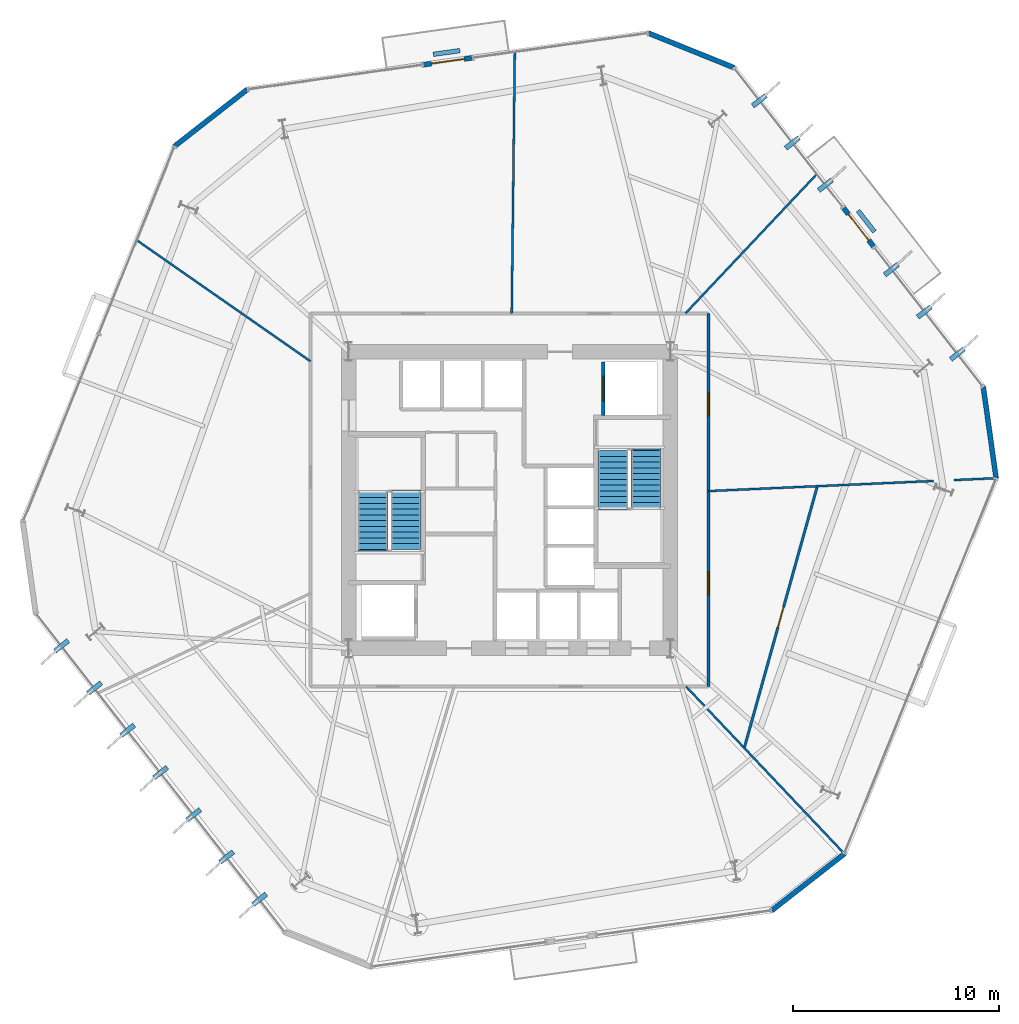
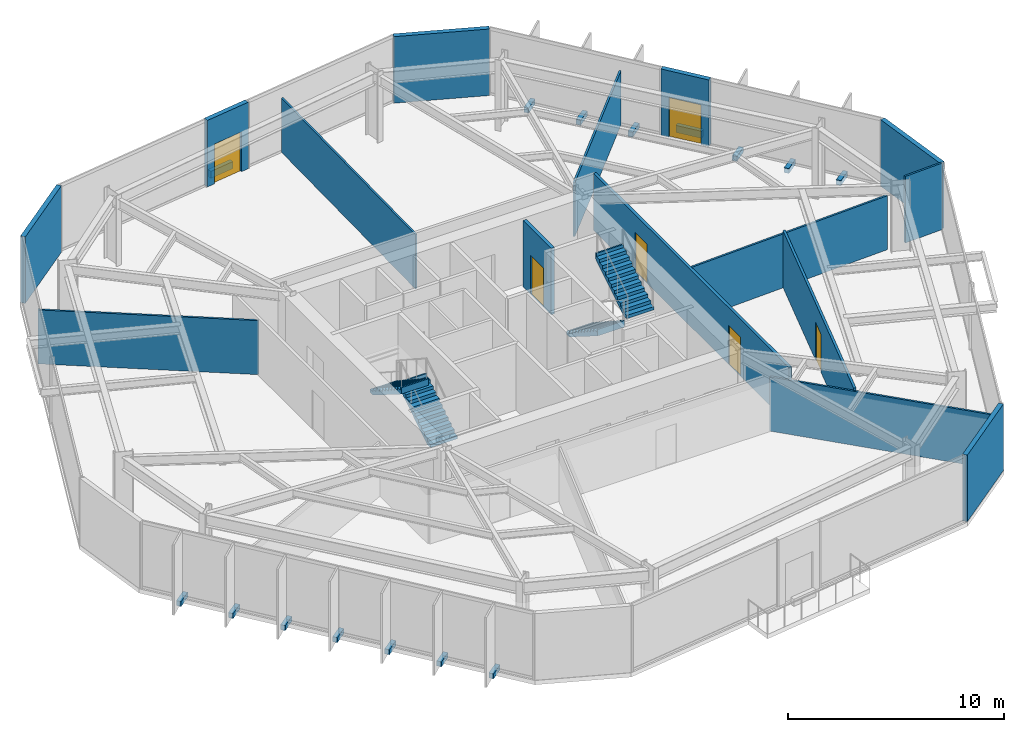
# One storey, part 7 of 10: 17 walls, 13 discrete accessories, 6 doors, 4 stair flights, 6 openings, 2 elements without a shape of their own.
"""IFC4 building model written with IfcOpenShell, lengths in metres."""

from ifc_helpers import new_model, si_unit, direction, frame, frame_2d, origin, origin_2d, place, context, subcontext, project, spatial, polyline, rectangle, outline, extrude, material, layer, layer_set, type_object, element, fill, aggregate, save


model = new_model("IFC4")

# Units and contexts
model_context = context("Model", 3, precision=1e-05, world=origin(), true_north=direction((0.0, 1.0)))
body_context = subcontext(model_context, "Body", "Model", "MODEL_VIEW")
ifc_project = project(units=[si_unit("LENGTHUNIT", "METRE"), si_unit("AREAUNIT", "SQUARE_METRE"), si_unit("VOLUMEUNIT", "CUBIC_METRE"), si_unit("PLANEANGLEUNIT", "RADIAN"), si_unit("MASSUNIT", "GRAM", prefix="KILO")], contexts=[model_context])

# Site, building, storey
site_placement = place(None, origin())
site = spatial("IfcSite", under=ifc_project, at=site_placement, CompositionType="ELEMENT")
building_placement = place(site_placement, origin())
building = spatial("IfcBuilding", under=site, at=building_placement, Name="Kranzbogen Civic Tower", CompositionType="ELEMENT")
storey_placement = place(building_placement, frame((0.0, 0.0, 52.0)))
storey = spatial("IfcBuildingStorey", under=building, at=storey_placement, Name="L12", CompositionType="ELEMENT", Elevation=52.0)

# Wall, openings, doors
ifc_material_1 = material(Name="Double-Stud Acoustic Gypsum Partition")
ifc_layer_1 = layer(ifc_material_1, 0.14990234375, Name="Double-Stud Acoustic Gypsum Partition")
ifc_layer_set_1 = layer_set([ifc_layer_1], Name="Double-Stud Acoustic Gypsum Partition")
wall_type_1 = type_object("IfcWallType", Name="Acoustic Corridor and Clinical Partition 150 mm", PredefinedType="PARTITIONING", material=ifc_layer_set_1)
wall_1_placement = place(storey_placement, frame((34.64990234375, 34.050048828125, 0.0), z_axis=(0.0, 0.0, 1.0), x_axis=(0.0, -1.0, 0.0)))
wall_1 = element("IfcWall", 1, at=wall_1_placement, inside=storey, type_object=wall_type_1, Name="L12 corridor partition 02", PredefinedType="PARTITIONING", context=body_context, shape_type="SweptSolid", body=[
    extrude(rectangle(XDim=18.10009765625, YDim=0.14990234375, at=frame_2d((9.050048828125, 0.0))), origin(), (0.0, 0.0, 1.0), 3.2099609375),
])
opening_1_placement = place(wall_1_placement, frame((12.533935546875, 0.0, 0.0)))
opening_1 = element("IfcOpeningElement", 2, at=opening_1_placement, cuts=wall_1, Name="Opening D-COR60", PredefinedType="OPENING", context=body_context, shape_type="SweptSolid", body=[
    extrude(rectangle(XDim=1.10009765625, YDim=2.199951171875, at=frame_2d((0.550048828125, 1.10009765625))), frame((0.0, 0.0849609375, 0.0), z_axis=(0.0, -1.0, 0.0), x_axis=(1.0, 0.0, 0.0)), (0.0, 0.0, 1.0), 0.169921875),
])
opening_2_placement = place(wall_1_placement, frame((3.85302734375, 0.0, 0.0)))
opening_2 = element("IfcOpeningElement", 3, at=opening_2_placement, cuts=wall_1, Name="Opening D-COR60", PredefinedType="OPENING", context=body_context, shape_type="SweptSolid", body=[
    extrude(rectangle(XDim=1.10009765625, YDim=2.199951171875, at=frame_2d((0.550048828125, 1.10009765625))), frame((0.0, 0.0849609375, 0.0), z_axis=(0.0, -1.0, 0.0), x_axis=(1.0, 0.0, 0.0)), (0.0, 0.0, 1.0), 0.169921875),
])
ifc_material_2 = material(Name="Oak Timber and Fire Core", Category="wood")
door_type_1 = type_object("IfcDoorType", Name="Corridor Acoustic Fire Door 1100x2200", OperationType="NOTDEFINED", PredefinedType="DOOR", material=ifc_material_2)
door_1_placement = place(opening_1_placement, origin())
door_1 = element("IfcDoor", 4, at=door_1_placement, inside=storey, type_object=door_type_1, Name="L12 Legal Counsel Office door", OperationType="SINGLE_SWING_RIGHT", OverallHeight=2.199951171875, OverallWidth=1.10009765625, PredefinedType="DOOR", context=body_context, shape_type="SweptSolid", body=[
    extrude(rectangle(XDim=1.10009765625, YDim=2.199951171875, at=frame_2d((0.550048828125, 1.10009765625))), frame((0.0, 0.02490234375, 0.0), z_axis=(0.0, -1.0, 0.0), x_axis=(1.0, 0.0, 0.0)), (0.0, 0.0, 1.0), 0.050048828125),
])
fill(opening_1, door_1)
door_2_placement = place(opening_2_placement, origin())
door_2 = element("IfcDoor", 5, at=door_2_placement, inside=storey, type_object=door_type_1, Name="L12 Executive Research Study door", OperationType="SINGLE_SWING_RIGHT", OverallHeight=2.199951171875, OverallWidth=1.10009765625, PredefinedType="DOOR", context=body_context, shape_type="SweptSolid", body=[
    extrude(rectangle(XDim=1.10009765625, YDim=2.199951171875, at=frame_2d((0.550048828125, 1.10009765625))), frame((0.0, 0.02490234375, 0.0), z_axis=(0.0, -1.0, 0.0), x_axis=(1.0, 0.0, 0.0)), (0.0, 0.0, 1.0), 0.050048828125),
])
fill(opening_2, door_2)

# Wall, opening, door
ifc_material_3 = material(Name="Insulated Metal-Stud Gypsum Partition")
ifc_layer_2 = layer(ifc_material_3, 0.125, Name="Insulated Metal-Stud Gypsum Partition")
ifc_layer_set_2 = layer_set([ifc_layer_2], Name="Insulated Metal-Stud Gypsum Partition")
wall_type_2 = type_object("IfcWallType", Name="Acoustic Inter-Room Partition 125 mm", PredefinedType="PARTITIONING", material=ifc_layer_set_2)
wall_2_placement = place(storey_placement, frame((36.39208984375, 12.989013671875, 0.0), z_axis=(0.0, 0.0, 1.0), x_axis=(0.268695208085, 0.963225251513, 0.0)))
wall_2 = element("IfcWall", 6, at=wall_2_placement, inside=storey, type_object=wall_type_2, Name="L12 suite chord partition 01", PredefinedType="PARTITIONING", context=body_context, shape_type="SweptSolid", body=[
    extrude(rectangle(XDim=13.148681640625, YDim=0.125, at=frame_2d((6.57421875, 0.0))), origin(), (0.0, 0.0, 1.0), 3.2099609375),
])
opening_3_placement = place(wall_2_placement, frame((6.073974609375, 0.0, 0.0)))
opening_3 = element("IfcOpeningElement", 7, at=opening_3_placement, cuts=wall_2, Name="Opening D-OFC10", PredefinedType="OPENING", context=body_context, shape_type="SweptSolid", body=[
    extrude(rectangle(XDim=1.0, YDim=2.14990234375, at=frame_2d((0.5, 1.074951171875))), frame((0.0, 0.072509765625, 0.0), z_axis=(0.0, -1.0, 0.0), x_axis=(1.0, 0.0, 0.0)), (0.0, 0.0, 1.0), 0.14501953125),
])
ifc_material_4 = material(Name="Oak Timber Veneer", Category="wood")
door_type_2 = type_object("IfcDoorType", Name="Standard Office Acoustic Door 1000x2150", OperationType="NOTDEFINED", PredefinedType="DOOR", material=ifc_material_4)
door_3_placement = place(opening_3_placement, origin())
door_3 = element("IfcDoor", 8, at=door_3_placement, inside=storey, type_object=door_type_2, Name="L12 Delegates Sitting Lounge door", OperationType="SINGLE_SWING_LEFT", OverallHeight=2.14990234375, OverallWidth=1.0, PredefinedType="DOOR", context=body_context, shape_type="SweptSolid", body=[
    extrude(rectangle(XDim=1.0, YDim=2.14990234375, at=frame_2d((0.5, 1.074951171875))), frame((0.0, 0.02490234375, 0.0), z_axis=(0.0, -1.0, 0.0), x_axis=(1.0, 0.0, 0.0)), (0.0, 0.0, 1.0), 0.050048828125),
])
fill(opening_3, door_3)

# Walls
ifc_material_5 = material(Name="Architectural Precast Terracotta Concrete C40/50", Category="masonry")
ifc_layer_3 = layer(ifc_material_5, 0.219970703125, Name="Architectural Precast Terracotta Concrete C40/50")
ifc_layer_set_3 = layer_set([ifc_layer_3], Name="Architectural Precast Terracotta Concrete C40/50")
wall_type_3 = type_object("IfcWallType", Name="Architectural Tree Planter Kerb Wall 220 mm", PredefinedType="USERDEFINED", material=ifc_layer_set_3)
wall_3_placement = place(storey_placement, frame((22.593994140625, 46.7939453125, 0.0), z_axis=(0.0, 0.0, 1.0), x_axis=(-0.990383971487, -0.138345903523, 0.0)))
element("IfcWall", 9, at=wall_3_placement, inside=storey, type_object=wall_type_3, Name="L12 landscaped tree balcony planter L12-TB1", ObjectType="PLANTER_WALL", PredefinedType="USERDEFINED", context=body_context, shape_type="SweptSolid", body=[
    extrude(rectangle(XDim=1.300537109375, YDim=0.219970703125, at=frame_2d((0.650390625, 0.0))), origin(), (0.0, 0.0, 1.0), 0.39990234375),
])
wall_4_placement = place(storey_placement, frame((42.7041015625, 38.007080078125, 0.0), z_axis=(0.0, 0.0, 1.0), x_axis=(-0.615695084904, 0.787984493772, 0.0)))
element("IfcWall", 10, at=wall_4_placement, inside=storey, type_object=wall_type_3, Name="L12 landscaped tree balcony planter L12-ST", ObjectType="PLANTER_WALL", PredefinedType="USERDEFINED", context=body_context, shape_type="SweptSolid", body=[
    extrude(rectangle(XDim=1.29931640625, YDim=0.219970703125, at=frame_2d((0.649658203125, 0.0))), origin(), (0.0, 0.0, 1.0), 0.39990234375),
])
ifc_material_6 = material(Name="Demountable Aluminium and Gypsum Partition", Category="aluminium")
ifc_layer_4 = layer(ifc_material_6, 0.10009765625, Name="Demountable Aluminium and Gypsum Partition")
ifc_layer_set_4 = layer_set([ifc_layer_4], Name="Demountable Aluminium and Gypsum Partition")
wall_type_4 = type_object("IfcWallType", Name="Demountable Office Partition 100 mm", PredefinedType="MOVABLE", material=ifc_layer_set_4)
wall_5_placement = place(storey_placement, frame((33.533935546875, 34.050048828125, 0.0), z_axis=(0.0, 0.0, 1.0), x_axis=(0.686105608839, 0.727501954307, 0.0)))
element("IfcWall", 11, at=wall_5_placement, inside=storey, type_object=wall_type_4, Name="L12 radial room partition 01", PredefinedType="MOVABLE", context=body_context, shape_type="SweptSolid", body=[
    extrude(rectangle(XDim=9.277099609375, YDim=0.10009765625, at=frame_2d((4.638671875, 0.0))), origin(), (0.0, 0.0, 1.0), 3.06005859375),
])
wall_6_placement = place(storey_placement, frame((25.10791015625, 34.050048828125, 0.0), z_axis=(0.0, 0.0, 1.0), x_axis=(0.011854360143, 0.999929734604, 0.0)))
element("IfcWall", 12, at=wall_6_placement, inside=storey, type_object=wall_type_4, Name="L12 radial room partition 02", PredefinedType="MOVABLE", context=body_context, shape_type="SweptSolid", body=[
    extrude(rectangle(XDim=12.666015625, YDim=0.10009765625, at=frame_2d((6.3330078125, 0.0))), origin(), (0.0, 0.0, 1.0), 3.06005859375),
])
wall_7_placement = place(storey_placement, frame((15.35009765625, 31.72607421875, 0.0), z_axis=(0.0, 0.0, 1.0), x_axis=(-0.820386326114, 0.57180965008, 0.0)))
element("IfcWall", 13, at=wall_7_placement, inside=storey, type_object=wall_type_4, Name="L12 radial room partition 03", PredefinedType="MOVABLE", context=body_context, shape_type="SweptSolid", body=[
    extrude(rectangle(XDim=10.258544921875, YDim=0.10009765625, at=frame_2d((5.12939453125, 0.0))), origin(), (0.0, 0.0, 1.0), 3.050048828125),
])
wall_8_placement = place(storey_placement, frame((33.568115234375, 15.949951171875, 0.0), z_axis=(0.0, 0.0, 1.0), x_axis=(0.687493592765, -0.726190443277, 0.0)))
element("IfcWall", 14, at=wall_8_placement, inside=storey, type_object=wall_type_4, Name="L12 radial room partition 06", PredefinedType="MOVABLE", context=body_context, shape_type="SweptSolid", body=[
    extrude(rectangle(XDim=11.141845703125, YDim=0.10009765625, at=frame_2d((5.57080078125, 0.0))), origin(), (0.0, 0.0, 1.0), 3.06005859375),
])
wall_9_placement = place(storey_placement, frame((34.64990234375, 25.43310546875, 0.0), z_axis=(0.0, 0.0, 1.0), x_axis=(0.998997369184, 0.044768921838, 0.0)))
element("IfcWall", 15, at=wall_9_placement, inside=storey, type_object=wall_type_4, Name="L12 radial room partition 07 part 1", PredefinedType="MOVABLE", context=body_context, shape_type="SweptSolid", body=[
    extrude(rectangle(XDim=10.923095703125, YDim=0.10009765625, at=frame_2d((5.46142578125, 0.0))), origin(), (0.0, 0.0, 1.0), 3.050048828125),
])
wall_10_placement = place(storey_placement, frame((46.552001953125, 25.966064453125, 0.0), z_axis=(0.0, 0.0, 1.0), x_axis=(0.998999775815, 0.044715186693, 0.0)))
element("IfcWall", 16, at=wall_10_placement, inside=storey, type_object=wall_type_4, Name="L12 radial room partition 07 part 2", PredefinedType="MOVABLE", context=body_context, shape_type="SweptSolid", body=[
    extrude(rectangle(XDim=2.031005859375, YDim=0.10009765625, at=frame_2d((1.015625, 0.0))), origin(), (0.0, 0.0, 1.0), 3.760009765625),
])

# Wall, opening, door
ifc_material_7 = material(Name="Gypsum Fireboard Shaftliner")
ifc_layer_5 = layer(ifc_material_7, 0.175048828125, Name="Gypsum Fireboard Shaftliner")
ifc_layer_set_5 = layer_set([ifc_layer_5], Name="Gypsum Fireboard Shaftliner")
wall_type_5 = type_object("IfcWallType", Name="Fire-Rated Lift and Service Shaft Wall 175 mm", PredefinedType="PARTITIONING", material=ifc_layer_set_5)
wall_11_placement = place(storey_placement, frame((29.550048828125, 29.10009765625, 0.0), z_axis=(0.0, 0.0, 1.0), x_axis=(0.0, 1.0, 0.0)))
wall_11 = element("IfcWall", 17, at=wall_11_placement, inside=storey, type_object=wall_type_5, Name="L12 lift FF-02 landing wall", PredefinedType="PARTITIONING", context=body_context, shape_type="SweptSolid", body=[
    extrude(rectangle(XDim=2.599853515625, YDim=0.175048828125, at=frame_2d((1.2998046875, 0.0))), origin(), (0.0, 0.0, 1.0), 3.760009765625),
])
opening_4_placement = place(wall_11_placement, frame((0.699951171875, 0.0, 0.0)))
opening_4 = element("IfcOpeningElement", 18, at=opening_4_placement, cuts=wall_11, Name="Opening LD-FF-02", PredefinedType="OPENING", context=body_context, shape_type="SweptSolid", body=[
    extrude(rectangle(XDim=1.199951171875, YDim=2.199951171875, at=frame_2d((0.60009765625, 1.10009765625))), frame((0.0, 0.09765625, 0.0), z_axis=(0.0, -1.0, 0.0), x_axis=(1.0, 0.0, 0.0)), (0.0, 0.0, 1.0), 0.195068359375),
])
ifc_material_8 = material(Name="Pale Anodised Aluminium", Category="aluminium")
door_type_3 = type_object("IfcDoorType", Name="Firefighting and Stretcher Lift Sliding Landing Door 1200x2200", OperationType="DOUBLE_DOOR_SLIDING", PredefinedType="DOOR", material=ifc_material_8)
door_4_placement = place(opening_4_placement, origin())
door_4 = element("IfcDoor", 19, at=door_4_placement, inside=storey, type_object=door_type_3, Name="L12 lift FF-02 sliding landing door", OperationType="DOUBLE_DOOR_SLIDING", OverallHeight=2.199951171875, OverallWidth=1.199951171875, PredefinedType="DOOR", context=body_context, shape_type="SweptSolid", body=[
    extrude(rectangle(XDim=1.199951171875, YDim=2.199951171875, at=frame_2d((0.60009765625, 1.10009765625))), frame((0.0, 0.02490234375, 0.0), z_axis=(0.0, -1.0, 0.0), x_axis=(1.0, 0.0, 0.0)), (0.0, 0.0, 1.0), 0.050048828125),
])
fill(opening_4, door_4)

ifc_layer_6 = layer(ifc_material_8, 0.239990234375, Name="Pale Anodised Aluminium")
ifc_layer_set_6 = layer_set([ifc_layer_6], Name="Pale Anodised Aluminium")
wall_type_6 = type_object("IfcWallType", Name="Insulated Aluminium Facade Portal Wall 240 mm", PredefinedType="STANDARD", material=ifc_layer_set_6)
wall_12_placement = place(storey_placement, frame((42.669921875, 37.281982421875, 0.0), z_axis=(0.0, 0.0, 1.0), x_axis=(-0.615797994432, 0.787904074144, 0.0)))
wall_12 = element("IfcWall", 20, at=wall_12_placement, inside=storey, type_object=wall_type_6, Name="L12 exterior entrance portal wall 1", PredefinedType="STANDARD", context=body_context, shape_type="SweptSolid", body=[
    extrude(rectangle(XDim=2.400146484375, YDim=0.239990234375, at=frame_2d((1.2001953125, 0.0))), origin(), (0.0, 0.0, 1.0), 3.760009765625),
])
opening_5_placement = place(wall_12_placement, frame((0.39990234375, 0.0, 0.0)))
opening_5 = element("IfcOpeningElement", 21, at=opening_5_placement, cuts=wall_12, Name="Opening D-TER", PredefinedType="OPENING", context=body_context, shape_type="SweptSolid", body=[
    extrude(rectangle(XDim=1.60009765625, YDim=2.25, at=frame_2d((0.800048828125, 1.125))), frame((0.0, 0.1298828125, 0.0), z_axis=(0.0, -1.0, 0.0), x_axis=(1.0, 0.0, 0.0)), (0.0, 0.0, 1.0), 0.260009765625),
])
ifc_material_9 = material(Name="Anodised Bronze and Triple Glass", Category="glass")
door_type_4 = type_object("IfcDoorType", Name="Glazed Terrace and Balcony Double Door 1600x2250", OperationType="DOUBLE_DOOR_SINGLE_SWING", PredefinedType="DOOR", material=ifc_material_9)
door_5_placement = place(opening_5_placement, frame((1.60009765625, 0.0, 0.0), z_axis=(0.0, 0.0, 1.0), x_axis=(-1.0, 0.0, 0.0)))
door_5 = element("IfcDoor", 22, at=door_5_placement, inside=storey, type_object=door_type_4, Name="L12 spiral terrace access door L12-ST", OperationType="DOUBLE_DOOR_SINGLE_SWING", OverallHeight=2.25, OverallWidth=1.60009765625, PredefinedType="DOOR", context=body_context, shape_type="SweptSolid", body=[
    extrude(rectangle(XDim=1.60009765625, YDim=2.25, at=frame_2d((0.800048828125, 1.125))), frame((0.0, 0.02490234375, 0.0), z_axis=(0.0, -1.0, 0.0), x_axis=(1.0, 0.0, 0.0)), (0.0, 0.0, 1.0), 0.050048828125),
])
fill(opening_5, door_5)

# Wall
wall_13_placement = place(storey_placement, frame((35.884033203125, 45.967041015625, 0.0), z_axis=(0.0, 0.0, 1.0), x_axis=(-0.927172587255, 0.374634479783, 0.0)))
element("IfcWall", 23, at=wall_13_placement, inside=storey, type_object=wall_type_6, Name="L12 chamfered corner facade spandrel 1", PredefinedType="STANDARD", context=body_context, shape_type="SweptSolid", body=[
    extrude(rectangle(XDim=4.473876953125, YDim=0.239990234375, at=frame_2d((2.23681640625, 0.0))), origin(), (0.0, 0.0, 1.0), 3.760009765625),
])

# Wall, opening, door
wall_14_placement = place(storey_placement, frame((23.197998046875, 46.443115234375, 0.0), z_axis=(0.0, 0.0, 1.0), x_axis=(-0.990250439139, -0.139298484503, 0.0)))
wall_14 = element("IfcWall", 24, at=wall_14_placement, inside=storey, type_object=wall_type_6, Name="L12 exterior entrance portal wall 1", PredefinedType="STANDARD", context=body_context, shape_type="SweptSolid", body=[
    extrude(rectangle(XDim=2.3994140625, YDim=0.239990234375, at=frame_2d((1.19970703125, 0.0))), origin(), (0.0, 0.0, 1.0), 3.760009765625),
])
opening_6_placement = place(wall_14_placement, frame((0.39990234375, 0.0, 0.0)))
opening_6 = element("IfcOpeningElement", 25, at=opening_6_placement, cuts=wall_14, Name="Opening D-TER", PredefinedType="OPENING", context=body_context, shape_type="SweptSolid", body=[
    extrude(rectangle(XDim=1.60009765625, YDim=2.25, at=frame_2d((0.800048828125, 1.125))), frame((0.0, 0.1298828125, 0.0), z_axis=(0.0, -1.0, 0.0), x_axis=(1.0, 0.0, 0.0)), (0.0, 0.0, 1.0), 0.260009765625),
])
door_6_placement = place(opening_6_placement, frame((1.60009765625, 0.0, 0.0), z_axis=(0.0, 0.0, 1.0), x_axis=(-1.0, 0.0, 0.0)))
door_6 = element("IfcDoor", 26, at=door_6_placement, inside=storey, type_object=door_type_4, Name="L12 tree balcony access door L12-TB1", OperationType="DOUBLE_DOOR_SINGLE_SWING", OverallHeight=2.25, OverallWidth=1.60009765625, PredefinedType="DOOR", context=body_context, shape_type="SweptSolid", body=[
    extrude(rectangle(XDim=1.60009765625, YDim=2.25, at=frame_2d((0.800048828125, 1.125))), frame((0.0, 0.02490234375, 0.0), z_axis=(0.0, -1.0, 0.0), x_axis=(1.0, 0.0, 0.0)), (0.0, 0.0, 1.0), 0.050048828125),
])
fill(opening_6, door_6)

# Walls
for number, where, z_axis, x_axis, name in (
    (27, (12.282958984375, 44.908935546875, 0.0), (0.0, 0.0, 1.0), (-0.788016099046, -0.615654633414, 0.0), "L12 chamfered corner facade spandrel 2"),
    (28, (37.717041015625, 5.091064453125, 0.0), (0.0, 0.0, 1.0), (0.788016099046, 0.615654633414, 0.0), "L12 chamfered corner facade spandrel 5"),
):
    element("IfcWall", number, at=place(storey_placement, frame(where, z_axis=z_axis, x_axis=x_axis)), inside=storey, type_object=wall_type_6, Name=name, PredefinedType="STANDARD", context=body_context, shape_type="SweptSolid", body=[
        extrude(rectangle(XDim=4.47314453125, YDim=0.239990234375, at=frame_2d((2.236572265625, 0.0))), origin(), (0.0, 0.0, 1.0), 3.760009765625),
    ])
wall_15_placement = place(storey_placement, frame((48.60009765625, 26.05810546875, 0.0), z_axis=(0.0, 0.0, 1.0), x_axis=(-0.139059990467, 0.990283958797, 0.0)))
element("IfcWall", 29, at=wall_15_placement, inside=storey, type_object=wall_type_6, Name="L12 chamfered corner facade spandrel 6", PredefinedType="STANDARD", context=body_context, shape_type="SweptSolid", body=[
    extrude(rectangle(XDim=4.473388671875, YDim=0.239990234375, at=frame_2d((2.23681640625, 0.0))), origin(), (0.0, 0.0, 1.0), 3.760009765625),
])

# Stair, stair flights
ifc_material_10 = material(Name="Precast concrete C40/50", Category="concrete")
stair_type_1 = type_object("IfcStairType", Name="Tower Core Pressurized Dogleg Stair 1450", PredefinedType="HALF_TURN_STAIR", material=ifc_material_10)
stair_1_placement = place(storey_placement, origin())
stair_1 = element("IfcStair", 30, at=stair_1_placement, inside=storey, type_object=stair_type_1, Name="L12 Tower Core Pressurized Stair 1", PredefinedType="HALF_TURN_STAIR")
stair_flight_type = type_object("IfcStairFlightType", Name="Precast Concrete Stair Flight R180", PredefinedType="STRAIGHT", material=ifc_material_10)
stair_flight_1_placement = place(storey_placement, frame((19.97509765625, 22.60009765625, 0.0), z_axis=(0.0, 0.0, 1.0), x_axis=(0.0, 1.0, 0.0)))
stair_flight_1 = element("IfcStairFlight", 31, at=stair_flight_1_placement, type_object=stair_flight_type, Name="ST-T1 flight 1", NumberOfRisers=11, NumberOfTreads=10, PredefinedType="STRAIGHT", RiserHeight=0.181818182, TreadLength=0.28, context=body_context, shape_type="SweptSolid", body=[
    extrude(outline(polyline([(0.0, 0.0), (0.0, 0.181884765625), (0.280029296875, 0.181884765625), (0.280029296875, 0.363525390625), (0.56005859375, 0.363525390625), (0.56005859375, 0.54541015625), (0.840087890625, 0.54541015625), (0.840087890625, 0.727294921875), (1.1201171875, 0.727294921875), (1.1201171875, 0.9091796875), (1.39990234375, 0.9091796875), (1.39990234375, 1.0908203125), (1.679931640625, 1.0908203125), (1.679931640625, 1.272705078125), (1.9599609375, 1.272705078125), (1.9599609375, 1.45458984375), (2.239990234375, 1.45458984375), (2.239990234375, 1.636474609375), (2.52001953125, 1.636474609375), (2.52001953125, 1.818115234375), (2.800048828125, 1.818115234375), (2.800048828125, 2.0), (2.880126953125, 2.0), (2.880126953125, 1.639404296875), (0.275146484375, 0.0), (0.0, 0.0)])), frame((0.0, 0.72509765625, 0.0), z_axis=(0.0, -1.0, 0.0), x_axis=(1.0, 0.0, 0.0)), (0.0, 0.0, 1.0), 1.449951171875),
])
stair_flight_2_placement = place(storey_placement, frame((18.375, 25.39990234375, 2.0), z_axis=(0.0, 0.0, 1.0), x_axis=(0.0, -1.0, 0.0)))
stair_flight_2 = element("IfcStairFlight", 32, at=stair_flight_2_placement, type_object=stair_flight_type, Name="ST-T1 flight 2", NumberOfRisers=11, NumberOfTreads=10, PredefinedType="STRAIGHT", RiserHeight=0.181818182, TreadLength=0.28, context=body_context, shape_type="SweptSolid", body=[
    extrude(outline(polyline([(0.0, 0.0), (0.0, 0.181884765625), (0.280029296875, 0.181884765625), (0.280029296875, 0.363525390625), (0.56005859375, 0.363525390625), (0.56005859375, 0.54541015625), (0.840087890625, 0.54541015625), (0.840087890625, 0.727294921875), (1.1201171875, 0.727294921875), (1.1201171875, 0.9091796875), (1.39990234375, 0.9091796875), (1.39990234375, 1.0908203125), (1.679931640625, 1.0908203125), (1.679931640625, 1.272705078125), (1.9599609375, 1.272705078125), (1.9599609375, 1.45458984375), (2.239990234375, 1.45458984375), (2.239990234375, 1.636474609375), (2.52001953125, 1.636474609375), (2.52001953125, 1.818115234375), (2.800048828125, 1.818115234375), (2.800048828125, 2.0), (2.880126953125, 2.0), (2.880126953125, 1.639404296875), (0.275146484375, 0.0), (0.0, 0.0)])), frame((0.0, 0.72509765625, 0.0), z_axis=(0.0, -1.0, 0.0), x_axis=(1.0, 0.0, 0.0)), (0.0, 0.0, 1.0), 1.449951171875),
])
aggregate(stair_1, [stair_flight_1, stair_flight_2])

stair_type_2 = type_object("IfcStairType", Name="Tower Core Secondary Dogleg Stair 1450", PredefinedType="HALF_TURN_STAIR", material=ifc_material_10)
stair_2_placement = place(storey_placement, origin())
stair_2 = element("IfcStair", 33, at=stair_2_placement, inside=storey, type_object=stair_type_2, Name="L12 Tower Core Pressurized Stair 2", PredefinedType="HALF_TURN_STAIR")
stair_flight_3_placement = place(storey_placement, frame((30.02490234375, 27.39990234375, 0.0), z_axis=(0.0, 0.0, 1.0), x_axis=(0.0, -1.0, 0.0)))
stair_flight_3 = element("IfcStairFlight", 34, at=stair_flight_3_placement, type_object=stair_flight_type, Name="ST-T2 flight 1", NumberOfRisers=11, NumberOfTreads=10, PredefinedType="STRAIGHT", RiserHeight=0.181818182, TreadLength=0.28, context=body_context, shape_type="SweptSolid", body=[
    extrude(outline(polyline([(0.0, 0.0), (0.0, 0.181884765625), (0.280029296875, 0.181884765625), (0.280029296875, 0.363525390625), (0.56005859375, 0.363525390625), (0.56005859375, 0.54541015625), (0.840087890625, 0.54541015625), (0.840087890625, 0.727294921875), (1.1201171875, 0.727294921875), (1.1201171875, 0.9091796875), (1.39990234375, 0.9091796875), (1.39990234375, 1.0908203125), (1.679931640625, 1.0908203125), (1.679931640625, 1.272705078125), (1.9599609375, 1.272705078125), (1.9599609375, 1.45458984375), (2.239990234375, 1.45458984375), (2.239990234375, 1.636474609375), (2.52001953125, 1.636474609375), (2.52001953125, 1.818115234375), (2.800048828125, 1.818115234375), (2.800048828125, 2.0), (2.880126953125, 2.0), (2.880126953125, 1.639404296875), (0.275146484375, 0.0), (0.0, 0.0)])), frame((0.0, 0.72509765625, 0.0), z_axis=(0.0, -1.0, 0.0), x_axis=(1.0, 0.0, 0.0)), (0.0, 0.0, 1.0), 1.449951171875),
])
stair_flight_4_placement = place(storey_placement, frame((31.625, 24.60009765625, 2.0), z_axis=(0.0, 0.0, 1.0), x_axis=(0.0, 1.0, 0.0)))
stair_flight_4 = element("IfcStairFlight", 35, at=stair_flight_4_placement, type_object=stair_flight_type, Name="ST-T2 flight 2", NumberOfRisers=11, NumberOfTreads=10, PredefinedType="STRAIGHT", RiserHeight=0.181818182, TreadLength=0.28, context=body_context, shape_type="SweptSolid", body=[
    extrude(outline(polyline([(0.0, 0.0), (0.0, 0.181884765625), (0.280029296875, 0.181884765625), (0.280029296875, 0.363525390625), (0.56005859375, 0.363525390625), (0.56005859375, 0.54541015625), (0.840087890625, 0.54541015625), (0.840087890625, 0.727294921875), (1.1201171875, 0.727294921875), (1.1201171875, 0.9091796875), (1.39990234375, 0.9091796875), (1.39990234375, 1.0908203125), (1.679931640625, 1.0908203125), (1.679931640625, 1.272705078125), (1.9599609375, 1.272705078125), (1.9599609375, 1.45458984375), (2.239990234375, 1.45458984375), (2.239990234375, 1.636474609375), (2.52001953125, 1.636474609375), (2.52001953125, 1.818115234375), (2.800048828125, 1.818115234375), (2.800048828125, 2.0), (2.880126953125, 2.0), (2.880126953125, 1.639404296875), (0.275146484375, 0.0), (0.0, 0.0)])), frame((0.0, 0.72509765625, 0.0), z_axis=(0.0, -1.0, 0.0), x_axis=(1.0, 0.0, 0.0)), (0.0, 0.0, 1.0), 1.449951171875),
])
aggregate(stair_2, [stair_flight_3, stair_flight_4])

# Discrete accessories
ifc_material_11 = material(Name="Steel S355", Category="steel")
discrete_accessory_type = type_object("IfcDiscreteAccessoryType", Name="Structural Curtain-Wall Fin Support Bracket", PredefinedType="BRACKET", material=ifc_material_11)
for number, where, z_axis, x_axis, name in (
    (36, (46.722900390625, 32.073974609375, -0.25), (0.0, 0.0, 1.0), (0.788010753607, 0.615661475326, 0.0), "L12 facade fin support bracket F1-1"),
    (37, (45.1220703125, 34.1220703125, -0.25), (0.0, 0.0, 1.0), (0.788010753607, 0.615661475326, 0.0), "L12 facade fin support bracket F1-2"),
    (38, (43.52197265625, 36.1708984375, -0.25), (0.0, 0.0, 1.0), (0.788010753607, 0.615661475326, 0.0), "L12 facade fin support bracket F1-3"),
    (39, (40.320068359375, 40.26904296875, -0.25), (0.0, 0.0, 1.0), (0.788010753607, 0.615661475326, 0.0), "L12 facade fin support bracket F1-5"),
    (40, (38.718994140625, 42.31689453125, -0.25), (0.0, 0.0, 1.0), (0.788010753607, 0.615661475326, 0.0), "L12 facade fin support bracket F1-6"),
    (41, (37.117919921875, 44.365966796875, -0.25), (0.0, 0.0, 1.0), (0.788010753607, 0.615661475326, 0.0), "L12 facade fin support bracket F1-7"),
    (42, (3.277099609375, 17.926025390625, -0.25), (0.0, 0.0, 1.0), (-0.788010753607, -0.615661475326, 0.0), "L12 facade fin support bracket F4-1"),
    (43, (4.8779296875, 15.8779296875, -0.25), (0.0, 0.0, 1.0), (-0.788010753607, -0.615661475326, 0.0), "L12 facade fin support bracket F4-2"),
    (44, (6.47802734375, 13.8291015625, -0.25), (0.0, 0.0, 1.0), (-0.788010753607, -0.615661475326, 0.0), "L12 facade fin support bracket F4-3"),
    (45, (8.0791015625, 11.780029296875, -0.25), (0.0, 0.0, 1.0), (-0.788010753607, -0.615661475326, 0.0), "L12 facade fin support bracket F4-4"),
    (46, (9.679931640625, 9.73095703125, -0.25), (0.0, 0.0, 1.0), (-0.788010753607, -0.615661475326, 0.0), "L12 facade fin support bracket F4-5"),
    (47, (11.281005859375, 7.68310546875, -0.25), (0.0, 0.0, 1.0), (-0.788010753607, -0.615661475326, 0.0), "L12 facade fin support bracket F4-6"),
    (48, (12.882080078125, 5.634033203125, -0.25), (0.0, 0.0, 1.0), (-0.788010753607, -0.615661475326, 0.0), "L12 facade fin support bracket F4-7"),
):
    element("IfcDiscreteAccessory", number, at=place(storey_placement, frame(where, z_axis=z_axis, x_axis=x_axis)), inside=storey, type_object=discrete_accessory_type, Name=name, PredefinedType="BRACKET", context=body_context, shape_type="SweptSolid", body=[
        extrude(rectangle(XDim=0.820068359375, YDim=0.239990234375, at=origin_2d()), origin(), (0.0, 0.0, 1.0), 0.280029296875),
    ])

save(model, "model.ifc")
